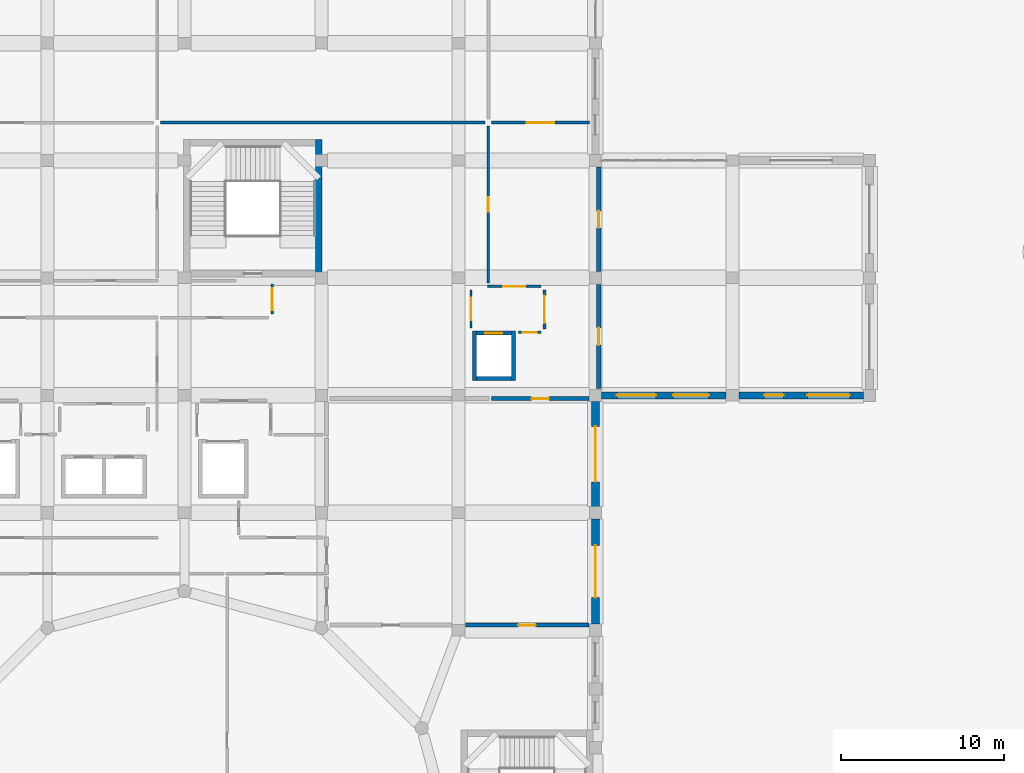
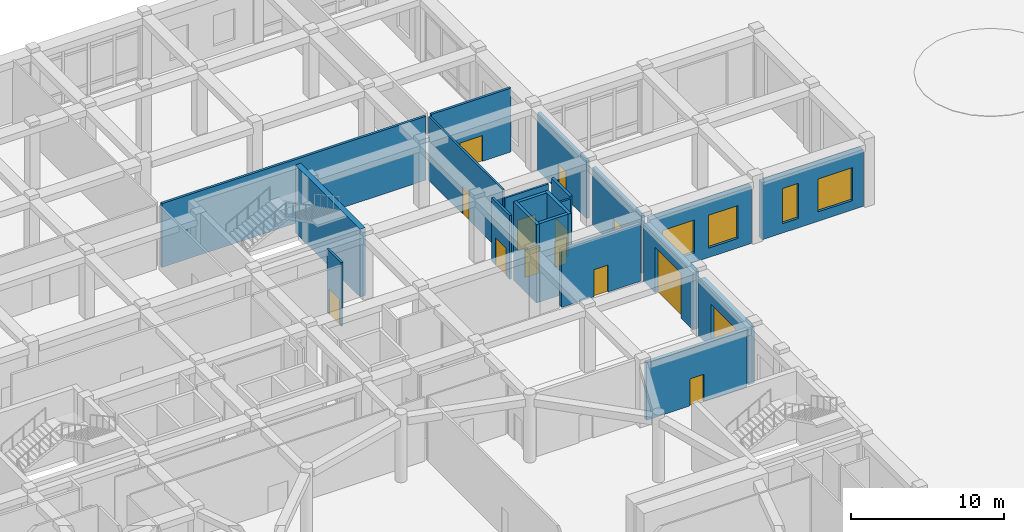
# One storey, part 74 of 84: 21 walls, 14 doors, 4 windows, 18 openings.
"""IFC4 building model written with IfcOpenShell, lengths in metres."""

from ifc_helpers import new_model, si_unit, derived_unit, direction, frame, frame_2d, origin, place, context, subcontext, project, spatial, rectangle, extrude, material, layer, layer_set, type_object, element, fill, save


model = new_model("IFC4")

# Units and contexts
model_context = context("Model", 3, precision=1e-05, world=origin(), true_north=direction((0.0, 1.0)))
body_context = subcontext(model_context, "Body", "Model", "MODEL_VIEW")
ifc_project = project(units=[si_unit("LENGTHUNIT", "METRE"), si_unit("AREAUNIT", "SQUARE_METRE"), si_unit("VOLUMEUNIT", "CUBIC_METRE"), si_unit("PLANEANGLEUNIT", "RADIAN"), si_unit("MASSUNIT", "GRAM", prefix="KILO"), derived_unit("THERMALTRANSMITTANCEUNIT", [(si_unit("POWERUNIT", "WATT"), 1), (si_unit("LENGTHUNIT", "METRE"), -2), (si_unit("THERMODYNAMICTEMPERATUREUNIT", "KELVIN"), -1)])], contexts=[model_context])

# Site, building, storey
site_placement = place(None, origin())
site = spatial("IfcSite", under=ifc_project, at=site_placement, CompositionType="ELEMENT")
building_placement = place(site_placement, origin())
building = spatial("IfcBuilding", under=site, at=building_placement, Name="Veybourne Emporium", CompositionType="ELEMENT")
storey_placement = place(building_placement, origin())
storey = spatial("IfcBuildingStorey", under=building, at=storey_placement, Name="L00", CompositionType="ELEMENT", Elevation=0.0)

# Wall, opening, door
ifc_material_1 = material(Name="Portland Limestone Ashlar", Category="masonry")
ifc_layer_1 = layer(ifc_material_1, 0.47998046875)
ifc_layer_set_1 = layer_set([ifc_layer_1], Name="Portland Limestone Ashlar")
wall_type_1 = type_object("IfcWallType", Name="ExtWall_EW-01", PredefinedType="SOLIDWALL", material=ifc_layer_set_1)
wall_1_placement = place(storey_placement, frame((100.800048828125, 71.625, 0.0), z_axis=(0.0, 0.0, 1.0), x_axis=(0.0, -1.0, 0.0)))
wall_1 = element("IfcWall", 1, at=wall_1_placement, inside=storey, type_object=wall_type_1, Name="Loading dock external wall 5", PredefinedType="SOLIDWALL", context=body_context, shape_type="SweptSolid", body=[
    extrude(rectangle(XDim=6.449951171875, YDim=0.47998046875, at=frame_2d((3.22509765625, 0.0))), origin(), (0.0, 0.0, 1.0), 4.530029296875),
])
opening_1_placement = place(wall_1_placement, frame((1.625, 0.0, 0.0)))
opening_1 = element("IfcOpeningElement", 2, at=opening_1_placement, cuts=wall_1, Name="Opening SG-05", PredefinedType="OPENING", context=body_context, shape_type="SweptSolid", body=[
    extrude(rectangle(XDim=3.199951171875, YDim=3.5, at=frame_2d((1.60009765625, 1.75))), frame((0.0, 0.260009765625, 0.0), z_axis=(0.0, -1.0, 0.0), x_axis=(1.0, 0.0, 0.0)), (0.0, 0.0, 1.0), 0.52001953125),
])
ifc_material_2 = material(Name="Brushed Stainless Steel", Category="steel")
door_type_1 = type_object("IfcDoorType", Name="Shutter_SG-05", OperationType="ROLLINGUP", PredefinedType="GATE", material=ifc_material_2)
door_1_placement = place(opening_1_placement, origin())
door_1 = element("IfcDoor", 3, at=door_1_placement, inside=storey, type_object=door_type_1, Name="Goods dispatch bay roller shutter SG-05", OperationType="ROLLINGUP", OverallHeight=3.5, OverallWidth=3.199951171875, PredefinedType="GATE", context=body_context, shape_type="SweptSolid", body=[
    extrude(rectangle(XDim=3.199951171875, YDim=3.5, at=frame_2d((1.60009765625, 1.75))), frame((0.0, 0.02490234375, 0.0), z_axis=(0.0, -1.0, 0.0), x_axis=(1.0, 0.0, 0.0)), (0.0, 0.0, 1.0), 0.050048828125),
])
fill(opening_1, door_1)

wall_2_placement = place(storey_placement, frame((100.800048828125, 78.824951171875, 0.0), z_axis=(0.0, 0.0, 1.0), x_axis=(0.0, -1.0, 0.0)))
wall_2 = element("IfcWall", 4, at=wall_2_placement, inside=storey, type_object=wall_type_1, Name="Loading dock external wall 4", PredefinedType="SOLIDWALL", context=body_context, shape_type="SweptSolid", body=[
    extrude(rectangle(XDim=6.449951171875, YDim=0.47998046875, at=frame_2d((3.22509765625, 0.0))), origin(), (0.0, 0.0, 1.0), 4.530029296875),
])
opening_2_placement = place(wall_2_placement, frame((1.52490234375, 0.0, 0.0)))
opening_2 = element("IfcOpeningElement", 5, at=opening_2_placement, cuts=wall_2, Name="Opening SG-04", PredefinedType="OPENING", context=body_context, shape_type="SweptSolid", body=[
    extrude(rectangle(XDim=3.39990234375, YDim=3.60009765625, at=frame_2d((1.699951171875, 1.800048828125))), frame((0.0, 0.260009765625, 0.0), z_axis=(0.0, -1.0, 0.0), x_axis=(1.0, 0.0, 0.0)), (0.0, 0.0, 1.0), 0.52001953125),
])
door_type_2 = type_object("IfcDoorType", Name="Shutter_SG-04", OperationType="ROLLINGUP", PredefinedType="GATE", material=ifc_material_2)
door_2_placement = place(opening_2_placement, origin())
door_2 = element("IfcDoor", 6, at=door_2_placement, inside=storey, type_object=door_type_2, Name="Goods dispatch bay roller shutter SG-04", OperationType="ROLLINGUP", OverallHeight=3.60009765625, OverallWidth=3.39990234375, PredefinedType="GATE", context=body_context, shape_type="SweptSolid", body=[
    extrude(rectangle(XDim=3.39990234375, YDim=3.60009765625, at=frame_2d((1.699951171875, 1.800048828125))), frame((0.0, 0.02490234375, 0.0), z_axis=(0.0, -1.0, 0.0), x_axis=(1.0, 0.0, 0.0)), (0.0, 0.0, 1.0), 0.050048828125),
])
fill(opening_2, door_2)

# Wall, openings, windows
ifc_material_3 = material(Name="Honed Black Granite Plinth", Category="masonry")
ifc_layer_2 = layer(ifc_material_3, 0.419921875)
ifc_layer_set_2 = layer_set([ifc_layer_2], Name="Honed Black Granite Plinth")
wall_type_2 = type_object("IfcWallType", Name="ExtWall_EW-02", PredefinedType="SOLIDWALL", material=ifc_layer_set_2)
wall_3_placement = place(storey_placement, frame((108.800048828125, 79.199951171875, 0.0), z_axis=(0.0, 0.0, 1.0), x_axis=(-1.0, 0.0, 0.0)))
wall_3 = element("IfcWall", 7, at=wall_3_placement, inside=storey, type_object=wall_type_2, Name="L00 Portland stone external wall 055", PredefinedType="SOLIDWALL", context=body_context, shape_type="SweptSolid", body=[
    extrude(rectangle(XDim=7.625, YDim=0.419921875, at=frame_2d((3.8125, 0.0))), origin(), (0.0, 0.0, 1.0), 4.530029296875),
])
opening_3_placement = place(wall_3_placement, frame((1.034912109375, 0.0, 0.75)))
opening_3 = element("IfcOpeningElement", 8, at=opening_3_placement, cuts=wall_3, Name="Opening W-38", PredefinedType="OPENING", context=body_context, shape_type="SweptSolid", body=[
    extrude(rectangle(XDim=2.199951171875, YDim=2.6201171875, at=frame_2d((1.10009765625, 1.31005859375))), frame((0.0, 0.22998046875, 0.0), z_axis=(0.0, -1.0, 0.0), x_axis=(1.0, 0.0, 0.0)), (0.0, 0.0, 1.0), 0.4599609375),
])
opening_4_placement = place(wall_3_placement, frame((4.2900390625, 0.0, 0.75)))
opening_4 = element("IfcOpeningElement", 9, at=opening_4_placement, cuts=wall_3, Name="Opening W-39", PredefinedType="OPENING", context=body_context, shape_type="SweptSolid", body=[
    extrude(rectangle(XDim=2.39990234375, YDim=2.6201171875, at=frame_2d((1.199951171875, 1.31005859375))), frame((0.0, 0.22998046875, 0.0), z_axis=(0.0, -1.0, 0.0), x_axis=(1.0, 0.0, 0.0)), (0.0, 0.0, 1.0), 0.4599609375),
])
ifc_material_4 = material(Name="Low-E Triple Glazing", Category="glass")
window_type_1 = type_object("IfcWindowType", Name="Win_W-38", PartitioningType="TRIPLE_PANEL_VERTICAL", PredefinedType="WINDOW", material=ifc_material_4)
window_1_placement = place(opening_3_placement, origin())
window_1 = element("IfcWindow", 10, at=window_1_placement, inside=storey, type_object=window_type_1, Name="L00 tripartite bronze casement window W-38 (55.1)", OverallHeight=2.6201171875, OverallWidth=2.199951171875, PartitioningType="TRIPLE_PANEL_VERTICAL", PredefinedType="WINDOW", context=body_context, shape_type="SweptSolid", body=[
    extrude(rectangle(XDim=2.199951171875, YDim=2.6201171875, at=frame_2d((1.10009765625, 1.31005859375))), frame((0.0, 0.030029296875, 0.0), z_axis=(0.0, -1.0, 0.0), x_axis=(1.0, 0.0, 0.0)), (0.0, 0.0, 1.0), 0.06005859375),
])
fill(opening_3, window_1)
window_type_2 = type_object("IfcWindowType", Name="Win_W-39", PartitioningType="TRIPLE_PANEL_VERTICAL", PredefinedType="WINDOW", material=ifc_material_4)
window_2_placement = place(opening_4_placement, origin())
window_2 = element("IfcWindow", 11, at=window_2_placement, inside=storey, type_object=window_type_2, Name="L00 tripartite bronze casement window W-39 (55.2)", OverallHeight=2.6201171875, OverallWidth=2.39990234375, PartitioningType="TRIPLE_PANEL_VERTICAL", PredefinedType="WINDOW", context=body_context, shape_type="SweptSolid", body=[
    extrude(rectangle(XDim=2.39990234375, YDim=2.6201171875, at=frame_2d((1.199951171875, 1.31005859375))), frame((0.0, 0.030029296875, 0.0), z_axis=(0.0, -1.0, 0.0), x_axis=(1.0, 0.0, 0.0)), (0.0, 0.0, 1.0), 0.06005859375),
])
fill(opening_4, window_2)

wall_4_placement = place(storey_placement, frame((117.22509765625, 79.199951171875, 0.0), z_axis=(0.0, 0.0, 1.0), x_axis=(-1.0, 0.0, 0.0)))
wall_4 = element("IfcWall", 12, at=wall_4_placement, inside=storey, type_object=wall_type_2, Name="L00 Portland stone external wall 059", PredefinedType="SOLIDWALL", context=body_context, shape_type="SweptSolid", body=[
    extrude(rectangle(XDim=7.625, YDim=0.419921875, at=frame_2d((3.8125, 0.0))), origin(), (0.0, 0.0, 1.0), 4.530029296875),
])
opening_5_placement = place(wall_4_placement, frame((0.8349609375, 0.0, 0.75)))
opening_5 = element("IfcOpeningElement", 13, at=opening_5_placement, cuts=wall_4, Name="Opening W-40", PredefinedType="OPENING", context=body_context, shape_type="SweptSolid", body=[
    extrude(rectangle(XDim=2.60009765625, YDim=2.6201171875, at=frame_2d((1.300048828125, 1.31005859375))), frame((0.0, 0.22998046875, 0.0), z_axis=(0.0, -1.0, 0.0), x_axis=(1.0, 0.0, 0.0)), (0.0, 0.0, 1.0), 0.4599609375),
])
opening_6_placement = place(wall_4_placement, frame((4.889892578125, 0.0, 0.75)))
opening_6 = element("IfcOpeningElement", 14, at=opening_6_placement, cuts=wall_4, Name="Opening W-41", PredefinedType="OPENING", context=body_context, shape_type="SweptSolid", body=[
    extrude(rectangle(XDim=1.199951171875, YDim=2.800048828125, at=frame_2d((0.60009765625, 1.39990234375))), frame((0.0, 0.22998046875, 0.0), z_axis=(0.0, -1.0, 0.0), x_axis=(1.0, 0.0, 0.0)), (0.0, 0.0, 1.0), 0.4599609375),
])
window_type_3 = type_object("IfcWindowType", Name="Win_W-40", PartitioningType="TRIPLE_PANEL_VERTICAL", PredefinedType="WINDOW", material=ifc_material_4)
window_3_placement = place(opening_5_placement, origin())
window_3 = element("IfcWindow", 15, at=window_3_placement, inside=storey, type_object=window_type_3, Name="L00 tripartite bronze casement window W-40 (59.1)", OverallHeight=2.6201171875, OverallWidth=2.60009765625, PartitioningType="TRIPLE_PANEL_VERTICAL", PredefinedType="WINDOW", context=body_context, shape_type="SweptSolid", body=[
    extrude(rectangle(XDim=2.60009765625, YDim=2.6201171875, at=frame_2d((1.300048828125, 1.31005859375))), frame((0.0, 0.030029296875, 0.0), z_axis=(0.0, -1.0, 0.0), x_axis=(1.0, 0.0, 0.0)), (0.0, 0.0, 1.0), 0.06005859375),
])
fill(opening_5, window_3)
window_type_4 = type_object("IfcWindowType", Name="Win_W-41", PartitioningType="SINGLE_PANEL", PredefinedType="WINDOW", material=ifc_material_4)
window_4_placement = place(opening_6_placement, origin())
window_4 = element("IfcWindow", 16, at=window_4_placement, inside=storey, type_object=window_type_4, Name="L00 tripartite bronze casement window W-41 (59.2)", OverallHeight=2.800048828125, OverallWidth=1.199951171875, PartitioningType="SINGLE_PANEL", PredefinedType="WINDOW", context=body_context, shape_type="SweptSolid", body=[
    extrude(rectangle(XDim=1.199951171875, YDim=2.800048828125, at=frame_2d((0.60009765625, 1.39990234375))), frame((0.0, 0.030029296875, 0.0), z_axis=(0.0, -1.0, 0.0), x_axis=(1.0, 0.0, 0.0)), (0.0, 0.0, 1.0), 0.06005859375),
])
fill(opening_6, window_4)

# Wall
ifc_material_5 = material(Name="Concrete C40/50", Category="concrete")
ifc_layer_3 = layer(ifc_material_5, 0.39990234375)
ifc_layer_set_3 = layer_set([ifc_layer_3], Name="Concrete C40/50")
wall_type_3 = type_object("IfcWallType", Name="IntWall_CW-01", PredefinedType="SHEAR", material=ifc_layer_set_3)
wall_5_placement = place(storey_placement, frame((83.85009765625, 86.449951171875, 0.0), z_axis=(0.0, 0.0, 1.0), x_axis=(0.0, 1.0, 0.0)))
element("IfcWall", 17, at=wall_5_placement, inside=storey, type_object=wall_type_3, Name="Core stair ST-04 east shear wall (L00)", PredefinedType="SHEAR", context=body_context, shape_type="SweptSolid", body=[
    extrude(rectangle(XDim=8.449951171875, YDim=0.39990234375, at=frame_2d((4.22509765625, 0.0))), origin(), (0.0, 0.0, 1.0), 5.39990234375),
])

# Wall, opening, door
ifc_layer_4 = layer(ifc_material_5, 0.239990234375)
ifc_layer_set_4 = layer_set([ifc_layer_4], Name="Concrete C40/50")
wall_type_4 = type_object("IfcWallType", Name="IntWall_CW-04", PredefinedType="SHEAR", material=ifc_layer_set_4)
wall_6_placement = place(storey_placement, frame((95.64990234375, 83.02001953125, 0.0), z_axis=(0.0, 0.0, 1.0), x_axis=(-1.0, 0.0, 0.0)))
wall_6 = element("IfcWall", 18, at=wall_6_placement, inside=storey, type_object=wall_type_4, Name="Lift core CL north shaft wall (L00)", PredefinedType="SHEAR", context=body_context, shape_type="SweptSolid", body=[
    extrude(rectangle(XDim=2.14990234375, YDim=0.239990234375, at=frame_2d((1.074951171875, 0.0))), origin(), (0.0, 0.0, 1.0), 6.25),
])
opening_7_placement = place(wall_6_placement, frame((0.550048828125, 0.0, 0.0)))
opening_7 = element("IfcOpeningElement", 19, at=opening_7_placement, cuts=wall_6, Name="Opening LD-04", PredefinedType="OPENING", context=body_context, shape_type="SweptSolid", body=[
    extrude(rectangle(XDim=1.050048828125, YDim=2.199951171875, at=frame_2d((0.52490234375, 1.10009765625))), frame((0.0, 0.14013671875, 0.0), z_axis=(0.0, -1.0, 0.0), x_axis=(1.0, 0.0, 0.0)), (0.0, 0.0, 1.0), 0.280029296875),
])
ifc_material_6 = material(Name="Patinated Architectural Bronze", Category="bronze")
door_type_3 = type_object("IfcDoorType", Name="FireDoor_LD-04", OperationType="SLIDING_TO_RIGHT", PredefinedType="DOOR", material=ifc_material_6)
door_3_placement = place(opening_7_placement, origin())
door_3 = element("IfcDoor", 20, at=door_3_placement, inside=storey, type_object=door_type_3, Name="Lift CL-01 sliding landing door (L00)", OperationType="SLIDING_TO_RIGHT", OverallHeight=2.199951171875, OverallWidth=1.050048828125, PredefinedType="DOOR", context=body_context, shape_type="SweptSolid", body=[
    extrude(rectangle(XDim=1.050048828125, YDim=2.199951171875, at=frame_2d((0.52490234375, 1.10009765625))), frame((0.0, 0.02490234375, 0.0), z_axis=(0.0, -1.0, 0.0), x_axis=(1.0, 0.0, 0.0)), (0.0, 0.0, 1.0), 0.050048828125),
])
fill(opening_7, door_3)

# Walls
wall_7_placement = place(storey_placement, frame((93.5, 80.22998046875, 0.0), z_axis=(0.0, 0.0, 1.0), x_axis=(1.0, 0.0, 0.0)))
element("IfcWall", 21, at=wall_7_placement, inside=storey, type_object=wall_type_4, Name="Lift core CL south shaft wall (L00)", PredefinedType="SHEAR", context=body_context, shape_type="SweptSolid", body=[
    extrude(rectangle(XDim=2.14990234375, YDim=0.239990234375, at=frame_2d((1.074951171875, 0.0))), origin(), (0.0, 0.0, 1.0), 6.25),
])
for number, where, z_axis, x_axis, name in (
    (22, (93.3798828125, 83.139892578125, 0.0), (0.0, 0.0, 1.0), (0.0, -1.0, 0.0), "Lift core CL west shaft wall (L00)"),
    (23, (95.77001953125, 80.110107421875, 0.0), (0.0, 0.0, 1.0), (0.0, 1.0, 0.0), "Lift core CL east shaft wall (L00)"),
):
    element("IfcWall", number, at=place(storey_placement, frame(where, z_axis=z_axis, x_axis=x_axis)), inside=storey, type_object=wall_type_4, Name=name, PredefinedType="SHEAR", context=body_context, shape_type="SweptSolid", body=[
        extrude(rectangle(XDim=3.02978515625, YDim=0.239990234375, at=frame_2d((1.514892578125, 0.0))), origin(), (0.0, 0.0, 1.0), 6.25),
    ])

# Wall, opening, door
ifc_material_7 = material(Name="Concrete C32/40", Category="concrete")
ifc_layer_5 = layer(ifc_material_7, 0.25)
ifc_layer_set_5 = layer_set([ifc_layer_5], Name="Concrete C32/40")
wall_type_5 = type_object("IfcWallType", Name="IntWall_FW-01", PredefinedType="SOLIDWALL", material=ifc_layer_set_5)
wall_8_placement = place(storey_placement, frame((92.820068359375, 65.1201171875, 0.0), z_axis=(0.0, 0.0, 1.0), x_axis=(1.0, 0.0, 0.0)))
wall_8 = element("IfcWall", 24, at=wall_8_placement, inside=storey, type_object=wall_type_5, Name="L00 interior partition FW-01 #028", PredefinedType="SOLIDWALL", context=body_context, shape_type="SweptSolid", body=[
    extrude(rectangle(XDim=7.56982421875, YDim=0.25, at=frame_2d((3.784912109375, 0.0))), origin(), (0.0, 0.0, 1.0), 4.580078125),
])
opening_8_placement = place(wall_8_placement, frame((3.260009765625, 0.0, 0.0)))
opening_8 = element("IfcOpeningElement", 25, at=opening_8_placement, cuts=wall_8, Name="Opening FD-02", PredefinedType="OPENING", context=body_context, shape_type="SweptSolid", body=[
    extrude(rectangle(XDim=1.050048828125, YDim=2.14990234375, at=frame_2d((0.52490234375, 1.074951171875))), frame((0.0, 0.14501953125, 0.0), z_axis=(0.0, -1.0, 0.0), x_axis=(1.0, 0.0, 0.0)), (0.0, 0.0, 1.0), 0.2900390625),
])
door_type_4 = type_object("IfcDoorType", Name="FireDoor_FD-02", OperationType="NOTDEFINED", PredefinedType="DOOR", material=ifc_material_6)
door_4_placement = place(opening_8_placement, origin())
door_4 = element("IfcDoor", 26, at=door_4_placement, inside=storey, type_object=door_type_4, Name="L00 interior door FD-02 (PART-L00-028)", OperationType="SINGLE_SWING_LEFT", OverallHeight=2.14990234375, OverallWidth=1.050048828125, PredefinedType="DOOR", context=body_context, shape_type="SweptSolid", body=[
    extrude(rectangle(XDim=1.050048828125, YDim=2.14990234375, at=frame_2d((0.52490234375, 1.074951171875))), frame((0.0, 0.02490234375, 0.0), z_axis=(0.0, -1.0, 0.0), x_axis=(1.0, 0.0, 0.0)), (0.0, 0.0, 1.0), 0.050048828125),
])
fill(opening_8, door_4)

wall_9_placement = place(storey_placement, frame((101.0, 79.610107421875, 0.0), z_axis=(0.0, 0.0, 1.0), x_axis=(0.0, 1.0, 0.0)))
wall_9 = element("IfcWall", 27, at=wall_9_placement, inside=storey, type_object=wall_type_5, Name="L00 interior partition FW-01 #052", PredefinedType="SOLIDWALL", context=body_context, shape_type="SweptSolid", body=[
    extrude(rectangle(XDim=6.394775390625, YDim=0.25, at=frame_2d((3.197265625, 0.0))), origin(), (0.0, 0.0, 1.0), 4.580078125),
])
opening_9_placement = place(wall_9_placement, frame((2.672607421875, 0.0, 0.0)))
opening_9 = element("IfcOpeningElement", 28, at=opening_9_placement, cuts=wall_9, Name="Opening FD-02", PredefinedType="OPENING", context=body_context, shape_type="SweptSolid", body=[
    extrude(rectangle(XDim=1.050048828125, YDim=2.14990234375, at=frame_2d((0.52490234375, 1.074951171875))), frame((0.0, 0.14501953125, 0.0), z_axis=(0.0, -1.0, 0.0), x_axis=(1.0, 0.0, 0.0)), (0.0, 0.0, 1.0), 0.2900390625),
])
door_5_placement = place(opening_9_placement, origin())
door_5 = element("IfcDoor", 29, at=door_5_placement, inside=storey, type_object=door_type_4, Name="L00 interior door FD-02 (PART-L00-052)", OperationType="SINGLE_SWING_LEFT", OverallHeight=2.14990234375, OverallWidth=1.050048828125, PredefinedType="DOOR", context=body_context, shape_type="SweptSolid", body=[
    extrude(rectangle(XDim=1.050048828125, YDim=2.14990234375, at=frame_2d((0.52490234375, 1.074951171875))), frame((0.0, 0.02490234375, 0.0), z_axis=(0.0, -1.0, 0.0), x_axis=(1.0, 0.0, 0.0)), (0.0, 0.0, 1.0), 0.050048828125),
])
fill(opening_9, door_5)

wall_10_placement = place(storey_placement, frame((101.0, 86.794921875, 0.0), z_axis=(0.0, 0.0, 1.0), x_axis=(0.0, 1.0, 0.0)))
wall_10 = element("IfcWall", 30, at=wall_10_placement, inside=storey, type_object=wall_type_5, Name="L00 interior partition FW-01 #053", PredefinedType="SOLIDWALL", context=body_context, shape_type="SweptSolid", body=[
    extrude(rectangle(XDim=6.39501953125, YDim=0.25, at=frame_2d((3.197509765625, 0.0))), origin(), (0.0, 0.0, 1.0), 4.580078125),
])
opening_10_placement = place(wall_10_placement, frame((2.672607421875, 0.0, 0.0)))
opening_10 = element("IfcOpeningElement", 31, at=opening_10_placement, cuts=wall_10, Name="Opening FD-02", PredefinedType="OPENING", context=body_context, shape_type="SweptSolid", body=[
    extrude(rectangle(XDim=1.050048828125, YDim=2.14990234375, at=frame_2d((0.52490234375, 1.074951171875))), frame((0.0, 0.14501953125, 0.0), z_axis=(0.0, -1.0, 0.0), x_axis=(1.0, 0.0, 0.0)), (0.0, 0.0, 1.0), 0.2900390625),
])
door_6_placement = place(opening_10_placement, origin())
door_6 = element("IfcDoor", 32, at=door_6_placement, inside=storey, type_object=door_type_4, Name="L00 interior door FD-02 (PART-L00-053)", OperationType="SINGLE_SWING_RIGHT", OverallHeight=2.14990234375, OverallWidth=1.050048828125, PredefinedType="DOOR", context=body_context, shape_type="SweptSolid", body=[
    extrude(rectangle(XDim=1.050048828125, YDim=2.14990234375, at=frame_2d((0.52490234375, 1.074951171875))), frame((0.0, 0.02490234375, 0.0), z_axis=(0.0, -1.0, 0.0), x_axis=(1.0, 0.0, 0.0)), (0.0, 0.0, 1.0), 0.050048828125),
])
fill(opening_10, door_6)

wall_11_placement = place(storey_placement, frame((94.43994140625, 79.0, 0.0), z_axis=(0.0, 0.0, 1.0), x_axis=(1.0, 0.0, 0.0)))
wall_11 = element("IfcWall", 33, at=wall_11_placement, inside=storey, type_object=wall_type_5, Name="L00 interior partition FW-01 #111", PredefinedType="SOLIDWALL", context=body_context, shape_type="SweptSolid", body=[
    extrude(rectangle(XDim=5.949951171875, YDim=0.25, at=frame_2d((2.97509765625, 0.0))), origin(), (0.0, 0.0, 1.0), 4.580078125),
])
opening_11_placement = place(wall_11_placement, frame((2.449951171875, 0.0, 0.0)))
opening_11 = element("IfcOpeningElement", 34, at=opening_11_placement, cuts=wall_11, Name="Opening FD-02", PredefinedType="OPENING", context=body_context, shape_type="SweptSolid", body=[
    extrude(rectangle(XDim=1.050048828125, YDim=2.14990234375, at=frame_2d((0.52490234375, 1.074951171875))), frame((0.0, 0.14501953125, 0.0), z_axis=(0.0, -1.0, 0.0), x_axis=(1.0, 0.0, 0.0)), (0.0, 0.0, 1.0), 0.2900390625),
])
door_7_placement = place(opening_11_placement, origin())
door_7 = element("IfcDoor", 35, at=door_7_placement, inside=storey, type_object=door_type_4, Name="L00 interior door FD-02 (PART-L00-111)", OperationType="SINGLE_SWING_LEFT", OverallHeight=2.14990234375, OverallWidth=1.050048828125, PredefinedType="DOOR", context=body_context, shape_type="SweptSolid", body=[
    extrude(rectangle(XDim=1.050048828125, YDim=2.14990234375, at=frame_2d((0.52490234375, 1.074951171875))), frame((0.0, 0.02490234375, 0.0), z_axis=(0.0, -1.0, 0.0), x_axis=(1.0, 0.0, 0.0)), (0.0, 0.0, 1.0), 0.050048828125),
])
fill(opening_11, door_7)

ifc_material_8 = material(Name="Gypsum Acoustic Board", Category="gypsum")
ifc_layer_6 = layer(ifc_material_8, 0.179931640625)
ifc_layer_set_6 = layer_set([ifc_layer_6], Name="Gypsum Acoustic Board")
wall_type_6 = type_object("IfcWallType", Name="IntWall_IW-01", PredefinedType="PARTITIONING", material=ifc_layer_set_6)
wall_12_placement = place(storey_placement, frame((94.43994140625, 95.919921875, 0.0), z_axis=(0.0, 0.0, 1.0), x_axis=(1.0, 0.0, 0.0)))
wall_12 = element("IfcWall", 36, at=wall_12_placement, inside=storey, type_object=wall_type_6, Name="L00 interior partition IW-01 #110", PredefinedType="PARTITIONING", context=body_context, shape_type="SweptSolid", body=[
    extrude(rectangle(XDim=5.989990234375, YDim=0.179931640625, at=frame_2d((2.9951171875, 0.0))), origin(), (0.0, 0.0, 1.0), 5.080078125),
])
opening_12_placement = place(wall_12_placement, frame((2.155029296875, 0.0, 0.0)))
opening_12 = element("IfcOpeningElement", 37, at=opening_12_placement, cuts=wall_12, Name="Opening D-06", PredefinedType="OPENING", context=body_context, shape_type="SweptSolid", body=[
    extrude(rectangle(XDim=1.679931640625, YDim=2.050048828125, at=frame_2d((0.83984375, 1.02490234375))), frame((0.0, 0.10986328125, 0.0), z_axis=(0.0, -1.0, 0.0), x_axis=(1.0, 0.0, 0.0)), (0.0, 0.0, 1.0), 0.219970703125),
])
ifc_material_9 = material(Name="European Oak Veneer and Bronze", Category="wood")
door_type_5 = type_object("IfcDoorType", Name="IntDoor_D-06", OperationType="DOUBLE_DOOR_SINGLE_SWING", PredefinedType="DOOR", material=ifc_material_9)
door_8_placement = place(opening_12_placement, origin())
door_8 = element("IfcDoor", 38, at=door_8_placement, inside=storey, type_object=door_type_5, Name="L00 interior door D-06 (PART-L00-110)", OperationType="DOUBLE_DOOR_SINGLE_SWING", OverallHeight=2.050048828125, OverallWidth=1.679931640625, PredefinedType="DOOR", context=body_context, shape_type="SweptSolid", body=[
    extrude(rectangle(XDim=1.679931640625, YDim=2.050048828125, at=frame_2d((0.83984375, 1.02490234375))), frame((0.0, 0.02490234375, 0.0), z_axis=(0.0, -1.0, 0.0), x_axis=(1.0, 0.0, 0.0)), (0.0, 0.0, 1.0), 0.050048828125),
])
fill(opening_12, door_8)

wall_13_placement = place(storey_placement, frame((97.679931640625, 83.27001953125, 0.0), z_axis=(0.0, 0.0, 1.0), x_axis=(0.0, 1.0, 0.0)))
wall_13 = element("IfcWall", 39, at=wall_13_placement, inside=storey, type_object=wall_type_6, Name="L00 interior partition IW-01 #152", PredefinedType="PARTITIONING", context=body_context, shape_type="SweptSolid", body=[
    extrude(rectangle(XDim=2.39990234375, YDim=0.179931640625, at=frame_2d((1.199951171875, 0.0))), origin(), (0.0, 0.0, 1.0), 5.080078125),
])
opening_13_placement = place(wall_13_placement, frame((0.360107421875, 0.0, 0.0)))
opening_13 = element("IfcOpeningElement", 40, at=opening_13_placement, cuts=wall_13, Name="Opening D-12", PredefinedType="OPENING", context=body_context, shape_type="SweptSolid", body=[
    extrude(rectangle(XDim=1.679931640625, YDim=2.1298828125, at=frame_2d((0.83984375, 1.06494140625))), frame((0.0, 0.10986328125, 0.0), z_axis=(0.0, -1.0, 0.0), x_axis=(1.0, 0.0, 0.0)), (0.0, 0.0, 1.0), 0.219970703125),
])
door_type_6 = type_object("IfcDoorType", Name="IntDoor_D-12", OperationType="DOUBLE_DOOR_SINGLE_SWING", PredefinedType="DOOR", material=ifc_material_9)
door_9_placement = place(opening_13_placement, origin())
door_9 = element("IfcDoor", 41, at=door_9_placement, inside=storey, type_object=door_type_6, Name="L00 interior door D-12 (PART-L00-152)", OperationType="DOUBLE_DOOR_SINGLE_SWING", OverallHeight=2.1298828125, OverallWidth=1.679931640625, PredefinedType="DOOR", context=body_context, shape_type="SweptSolid", body=[
    extrude(rectangle(XDim=1.679931640625, YDim=2.1298828125, at=frame_2d((0.83984375, 1.06494140625))), frame((0.0, 0.02490234375, 0.0), z_axis=(0.0, -1.0, 0.0), x_axis=(1.0, 0.0, 0.0)), (0.0, 0.0, 1.0), 0.050048828125),
])
fill(opening_13, door_9)

# Wall
wall_14_placement = place(storey_placement, frame((74.139892578125, 95.919921875, 0.0), z_axis=(0.0, 0.0, 1.0), x_axis=(1.0, 0.0, 0.0)))
element("IfcWall", 42, at=wall_14_placement, inside=storey, type_object=wall_type_6, Name="L00 interior partition IW-01 #200", PredefinedType="PARTITIONING", context=body_context, shape_type="SweptSolid", body=[
    extrude(rectangle(XDim=19.880126953125, YDim=0.179931640625, at=frame_2d((9.93994140625, 0.0))), origin(), (0.0, 0.0, 1.0), 5.080078125),
])

# Wall, opening, door
ifc_layer_7 = layer(ifc_material_8, 0.14990234375)
ifc_layer_set_7 = layer_set([ifc_layer_7], Name="Gypsum Acoustic Board")
wall_type_7 = type_object("IfcWallType", Name="IntWall_IW-02", PredefinedType="PARTITIONING", material=ifc_layer_set_7)
wall_15_placement = place(storey_placement, frame((94.22998046875, 86.090087890625, 0.0), z_axis=(0.0, 0.0, 1.0), x_axis=(0.0, 1.0, 0.0)))
wall_15 = element("IfcWall", 43, at=wall_15_placement, inside=storey, type_object=wall_type_7, Name="L00 interior partition IW-02 #081", PredefinedType="PARTITIONING", context=body_context, shape_type="SweptSolid", body=[
    extrude(rectangle(XDim=9.619873046875, YDim=0.14990234375, at=frame_2d((4.81005859375, 0.0))), origin(), (0.0, 0.0, 1.0), 5.080078125),
])
opening_14_placement = place(wall_15_placement, frame((4.3701171875, 0.0, 0.0)))
opening_14 = element("IfcOpeningElement", 44, at=opening_14_placement, cuts=wall_15, Name="Opening D-13", PredefinedType="OPENING", context=body_context, shape_type="SweptSolid", body=[
    extrude(rectangle(XDim=0.8798828125, YDim=2.2099609375, at=frame_2d((0.43994140625, 1.10498046875))), frame((0.0, 0.094970703125, 0.0), z_axis=(0.0, -1.0, 0.0), x_axis=(1.0, 0.0, 0.0)), (0.0, 0.0, 1.0), 0.18994140625),
])
door_type_7 = type_object("IfcDoorType", Name="IntDoor_D-13", OperationType="NOTDEFINED", PredefinedType="DOOR", material=ifc_material_9)
door_10_placement = place(opening_14_placement, origin())
door_10 = element("IfcDoor", 45, at=door_10_placement, inside=storey, type_object=door_type_7, Name="L00 interior door D-13 (PART-L00-081)", OperationType="SINGLE_SWING_LEFT", OverallHeight=2.2099609375, OverallWidth=0.8798828125, PredefinedType="DOOR", context=body_context, shape_type="SweptSolid", body=[
    extrude(rectangle(XDim=0.8798828125, YDim=2.2099609375, at=frame_2d((0.43994140625, 1.10498046875))), frame((0.0, 0.02490234375, 0.0), z_axis=(0.0, -1.0, 0.0), x_axis=(1.0, 0.0, 0.0)), (0.0, 0.0, 1.0), 0.050048828125),
])
fill(opening_14, door_10)

wall_16_placement = place(storey_placement, frame((94.179931640625, 85.8798828125, 0.0), z_axis=(0.0, 0.0, 1.0), x_axis=(1.0, 0.0, 0.0)))
wall_16 = element("IfcWall", 46, at=wall_16_placement, inside=storey, type_object=wall_type_7, Name="L00 interior partition IW-02 #138", PredefinedType="PARTITIONING", context=body_context, shape_type="SweptSolid", body=[
    extrude(rectangle(XDim=3.2900390625, YDim=0.14990234375, at=frame_2d((1.64501953125, 0.0))), origin(), (0.0, 0.0, 1.0), 4.580078125),
])
opening_15_placement = place(wall_16_placement, frame((0.965087890625, 0.0, 0.0)))
opening_15 = element("IfcOpeningElement", 47, at=opening_15_placement, cuts=wall_16, Name="Opening D-34", PredefinedType="OPENING", context=body_context, shape_type="SweptSolid", body=[
    extrude(rectangle(XDim=1.360107421875, YDim=2.449951171875, at=frame_2d((0.68017578125, 1.22509765625))), frame((0.0, 0.094970703125, 0.0), z_axis=(0.0, -1.0, 0.0), x_axis=(1.0, 0.0, 0.0)), (0.0, 0.0, 1.0), 0.18994140625),
])
door_type_8 = type_object("IfcDoorType", Name="IntDoor_D-34", OperationType="NOTDEFINED", PredefinedType="DOOR", material=ifc_material_9)
door_11_placement = place(opening_15_placement, origin())
door_11 = element("IfcDoor", 48, at=door_11_placement, inside=storey, type_object=door_type_8, Name="L00 interior door D-34 (PART-L00-138)", OperationType="SINGLE_SWING_RIGHT", OverallHeight=2.449951171875, OverallWidth=1.360107421875, PredefinedType="DOOR", context=body_context, shape_type="SweptSolid", body=[
    extrude(rectangle(XDim=1.360107421875, YDim=2.449951171875, at=frame_2d((0.68017578125, 1.22509765625))), frame((0.0, 0.02490234375, 0.0), z_axis=(0.0, -1.0, 0.0), x_axis=(1.0, 0.0, 0.0)), (0.0, 0.0, 1.0), 0.050048828125),
])
fill(opening_15, door_11)

wall_17_placement = place(storey_placement, frame((93.169921875, 83.322021484375, 0.0), z_axis=(0.0, 0.0, 1.0), x_axis=(0.0, 1.0, 0.0)))
wall_17 = element("IfcWall", 49, at=wall_17_placement, inside=storey, type_object=wall_type_7, Name="L00 interior partition IW-02 #156", PredefinedType="PARTITIONING", context=body_context, shape_type="SweptSolid", body=[
    extrude(rectangle(XDim=2.347900390625, YDim=0.14990234375, at=frame_2d((1.173828125, 0.0))), origin(), (0.0, 0.0, 1.0), 5.080078125),
])
opening_16_placement = place(wall_17_placement, frame((0.493896484375, 0.0, 0.0)))
opening_16 = element("IfcOpeningElement", 50, at=opening_16_placement, cuts=wall_17, Name="Opening D-16", PredefinedType="OPENING", context=body_context, shape_type="SweptSolid", body=[
    extrude(rectangle(XDim=1.360107421875, YDim=2.2099609375, at=frame_2d((0.68017578125, 1.10498046875))), frame((0.0, 0.094970703125, 0.0), z_axis=(0.0, -1.0, 0.0), x_axis=(1.0, 0.0, 0.0)), (0.0, 0.0, 1.0), 0.18994140625),
])
door_type_9 = type_object("IfcDoorType", Name="IntDoor_D-16", OperationType="NOTDEFINED", PredefinedType="DOOR", material=ifc_material_9)
door_12_placement = place(opening_16_placement, origin())
door_12 = element("IfcDoor", 51, at=door_12_placement, inside=storey, type_object=door_type_9, Name="L00 interior door D-16 (PART-L00-156)", OperationType="SINGLE_SWING_LEFT", OverallHeight=2.2099609375, OverallWidth=1.360107421875, PredefinedType="DOOR", context=body_context, shape_type="SweptSolid", body=[
    extrude(rectangle(XDim=1.360107421875, YDim=2.2099609375, at=frame_2d((0.68017578125, 1.10498046875))), frame((0.0, 0.02490234375, 0.0), z_axis=(0.0, -1.0, 0.0), x_axis=(1.0, 0.0, 0.0)), (0.0, 0.0, 1.0), 0.050048828125),
])
fill(opening_16, door_12)

wall_18_placement = place(storey_placement, frame((80.97998046875, 84.179931640625, 0.0), z_axis=(0.0, 0.0, 1.0), x_axis=(0.0, 1.0, 0.0)))
wall_18 = element("IfcWall", 52, at=wall_18_placement, inside=storey, type_object=wall_type_7, Name="L00 interior partition IW-02 #180", PredefinedType="PARTITIONING", context=body_context, shape_type="SweptSolid", body=[
    extrude(rectangle(XDim=1.840087890625, YDim=0.14990234375, at=frame_2d((0.919921875, 0.0))), origin(), (0.0, 0.0, 1.0), 5.080078125),
])
opening_17_placement = place(wall_18_placement, frame((0.239990234375, 0.0, 0.0)))
opening_17 = element("IfcOpeningElement", 53, at=opening_17_placement, cuts=wall_18, Name="Opening D-04", PredefinedType="OPENING", context=body_context, shape_type="SweptSolid", body=[
    extrude(rectangle(XDim=1.360107421875, YDim=2.050048828125, at=frame_2d((0.68017578125, 1.02490234375))), frame((0.0, 0.094970703125, 0.0), z_axis=(0.0, -1.0, 0.0), x_axis=(1.0, 0.0, 0.0)), (0.0, 0.0, 1.0), 0.18994140625),
])
door_type_10 = type_object("IfcDoorType", Name="IntDoor_D-04", OperationType="NOTDEFINED", PredefinedType="DOOR", material=ifc_material_9)
door_13_placement = place(opening_17_placement, frame((1.360107421875, 0.0, 0.0), z_axis=(0.0, 0.0, 1.0), x_axis=(-1.0, 0.0, 0.0)))
door_13 = element("IfcDoor", 54, at=door_13_placement, inside=storey, type_object=door_type_10, Name="L00 interior door D-04 (PART-L00-180)", OperationType="SINGLE_SWING_LEFT", OverallHeight=2.050048828125, OverallWidth=1.360107421875, PredefinedType="DOOR", context=body_context, shape_type="SweptSolid", body=[
    extrude(rectangle(XDim=1.360107421875, YDim=2.050048828125, at=frame_2d((0.68017578125, 1.02490234375))), frame((0.0, 0.02490234375, 0.0), z_axis=(0.0, -1.0, 0.0), x_axis=(1.0, 0.0, 0.0)), (0.0, 0.0, 1.0), 0.050048828125),
])
fill(opening_17, door_13)

wall_19_placement = place(storey_placement, frame((96.077880859375, 83.06005859375, 0.0), z_axis=(0.0, 0.0, 1.0), x_axis=(1.0, 0.0, 0.0)))
wall_19 = element("IfcWall", 55, at=wall_19_placement, inside=storey, type_object=wall_type_7, Name="L00 interior partition IW-02 #198", PredefinedType="PARTITIONING", context=body_context, shape_type="SweptSolid", body=[
    extrude(rectangle(XDim=1.39208984375, YDim=0.14990234375, at=frame_2d((0.696044921875, 0.0))), origin(), (0.0, 0.0, 1.0), 5.080078125),
])
opening_18_placement = place(wall_19_placement, frame((0.256103515625, 0.0, 0.0)))
opening_18 = element("IfcOpeningElement", 56, at=opening_18_placement, cuts=wall_19, Name="Opening D-01", PredefinedType="OPENING", context=body_context, shape_type="SweptSolid", body=[
    extrude(rectangle(XDim=0.8798828125, YDim=2.050048828125, at=frame_2d((0.43994140625, 1.02490234375))), frame((0.0, 0.094970703125, 0.0), z_axis=(0.0, -1.0, 0.0), x_axis=(1.0, 0.0, 0.0)), (0.0, 0.0, 1.0), 0.18994140625),
])
door_type_11 = type_object("IfcDoorType", Name="IntDoor_D-01", OperationType="NOTDEFINED", PredefinedType="DOOR", material=ifc_material_9)
door_14_placement = place(opening_18_placement, origin())
door_14 = element("IfcDoor", 57, at=door_14_placement, inside=storey, type_object=door_type_11, Name="L00 interior door D-01 (PART-L00-198)", OperationType="SINGLE_SWING_LEFT", OverallHeight=2.050048828125, OverallWidth=0.8798828125, PredefinedType="DOOR", context=body_context, shape_type="SweptSolid", body=[
    extrude(rectangle(XDim=0.8798828125, YDim=2.050048828125, at=frame_2d((0.43994140625, 1.02490234375))), frame((0.0, 0.02490234375, 0.0), z_axis=(0.0, -1.0, 0.0), x_axis=(1.0, 0.0, 0.0)), (0.0, 0.0, 1.0), 0.050048828125),
])
fill(opening_18, door_14)

save(model, "model.ifc")
